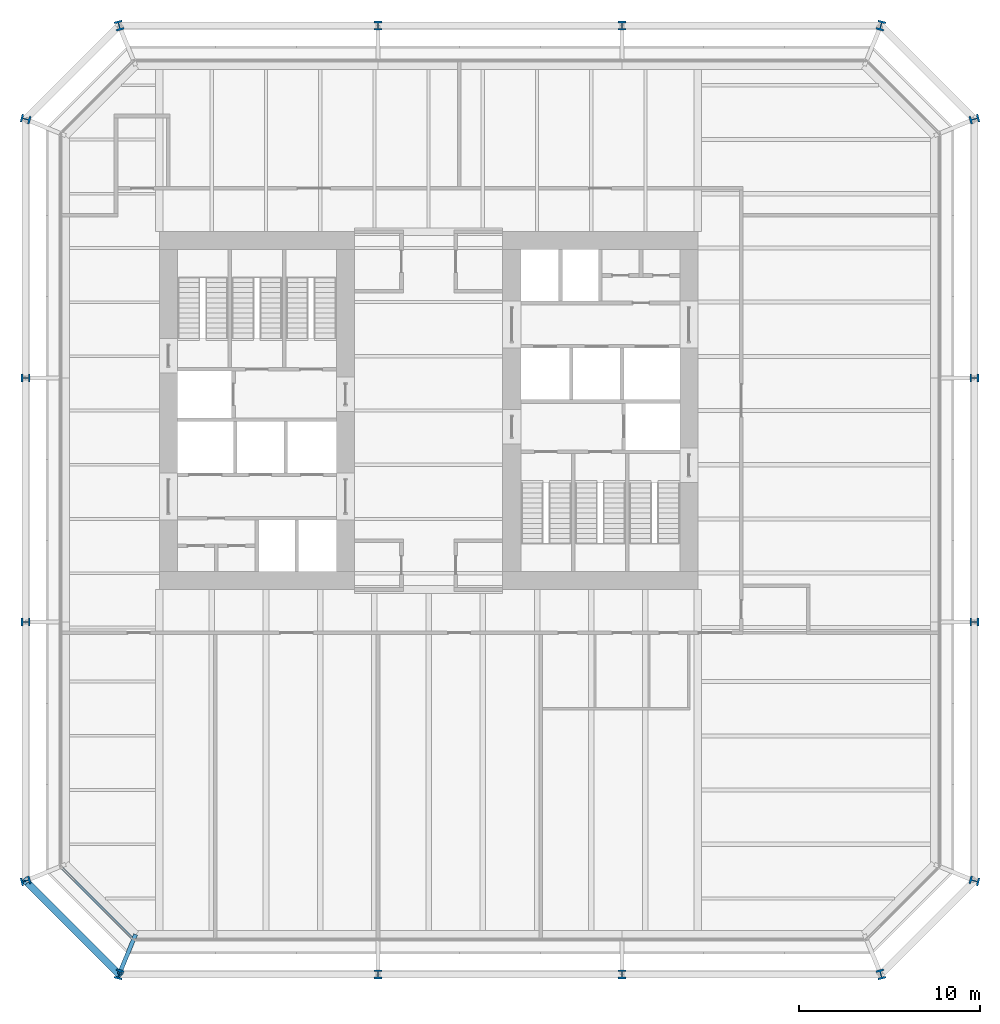
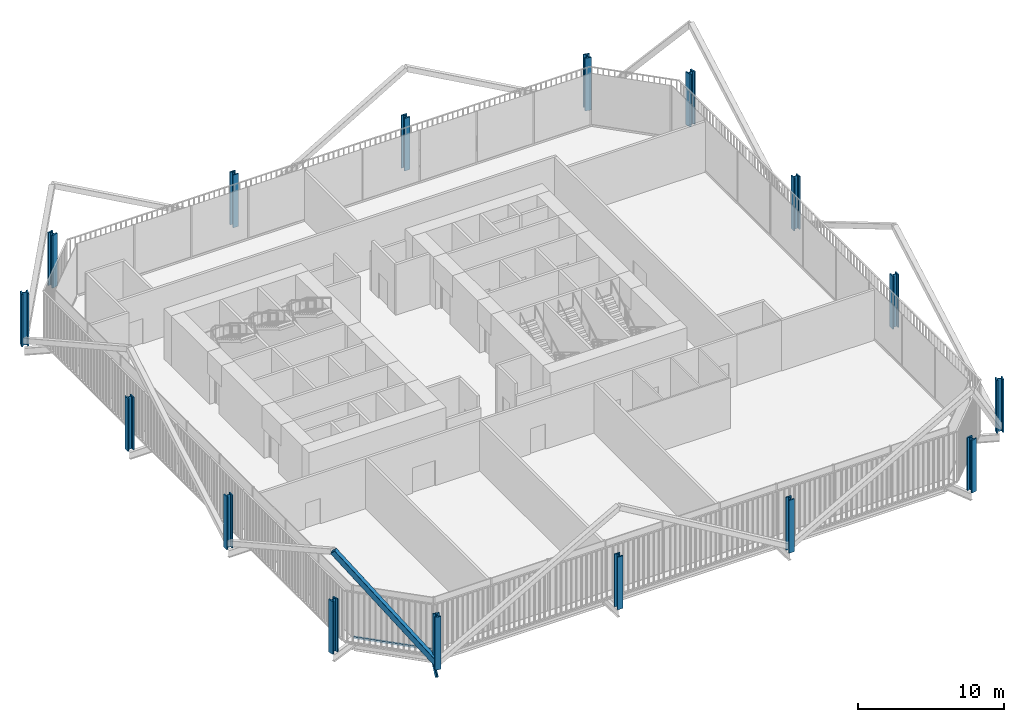
# One storey, part 1 of 21: 16 columns, 2 members, 1 beam, 1 element without a shape of its own.
"""IFC4 building model written with IfcOpenShell, lengths in metres."""

from ifc_helpers import new_model, si_unit, direction, frame, origin, origin_2d, place, context, subcontext, project, spatial, rectangle, hollow_rectangle, i_section, extrude, material, layer, layer_set, material_profile, profile_set, type_object, element, aggregate, save


model = new_model("IFC4")

# Units and contexts
model_context = context("Model", 3, precision=1e-05, world=origin(), true_north=direction((0.0, 1.0)))
body_context = subcontext(model_context, "Body", "Model", "MODEL_VIEW")
ifc_project = project(units=[si_unit("LENGTHUNIT", "METRE"), si_unit("AREAUNIT", "SQUARE_METRE"), si_unit("VOLUMEUNIT", "CUBIC_METRE"), si_unit("PLANEANGLEUNIT", "RADIAN"), si_unit("MASSUNIT", "GRAM", prefix="KILO")], contexts=[model_context])

# Site, building, storey
site_placement = place(None, origin())
site = spatial("IfcSite", under=ifc_project, at=site_placement, CompositionType="ELEMENT")
building_placement = place(site_placement, origin())
building = spatial("IfcBuilding", under=site, at=building_placement, Name="Millrace Tower", CompositionType="ELEMENT")
storey_placement = place(building_placement, frame((0.0, 0.0, 104.0)))
storey = spatial("IfcBuildingStorey", under=building, at=storey_placement, Name="L23", CompositionType="ELEMENT", Elevation=104.0)

# Columns
ifc_material_1 = material(Name="Steel ASTM A913 Grade 65", Category="steel")
ifc_material_profile_1 = material_profile(ifc_material_1, i_section(OverallWidth=0.431884765625, OverallDepth=0.497802734375, WebThickness=0.0556640625, FlangeThickness=0.0888671875, FilletRadius=0.01513671875, at=origin_2d()))
ifc_profile_set_1 = profile_set([ifc_material_profile_1], Name="Steel ASTM A913 Grade 65")
column_type_1 = type_object("IfcColumnType", Name="Exoskeleton column W14x500", PredefinedType="COLUMN", material=ifc_profile_set_1)
for number, where, z_axis, x_axis, name in (
    (1, (-2.800048828125, -31.199951171875, 0.0), (0.0, 0.0, 1.0), (1.0, 0.0, 0.0), "COL-B-L23-X03"),
    (2, (10.699951171875, -31.199951171875, 0.0), (0.0, 0.0, 1.0), (1.0, 0.0, 0.0), "COL-B-L23-X04"),
    (3, (30.199951171875, -11.699951171875, 0.0), (0.0, 0.0, 1.0), (0.0, 1.0, 0.0), "COL-B-L23-X07"),
    (4, (30.199951171875, 1.800048828125, 0.0), (0.0, 0.0, 1.0), (0.0, 1.0, 0.0), "COL-B-L23-X08"),
    (5, (10.699951171875, 21.300048828125, 0.0), (0.0, 0.0, 1.0), (-1.0, 0.0, 0.0), "COL-B-L23-X11"),
    (6, (-2.800048828125, 21.300048828125, 0.0), (0.0, 0.0, 1.0), (-1.0, 0.0, 0.0), "COL-B-L23-X12"),
    (7, (-22.300048828125, 1.800048828125, 0.0), (0.0, 0.0, 1.0), (0.0, -1.0, 0.0), "COL-B-L23-X15"),
    (8, (-22.300048828125, -11.699951171875, 0.0), (0.0, 0.0, 1.0), (0.0, -1.0, 0.0), "COL-B-L23-X16"),
):
    element("IfcColumn", number, at=place(storey_placement, frame(where, z_axis=z_axis, x_axis=x_axis)), inside=storey, type_object=column_type_1, Name=name, PredefinedType="COLUMN", context=body_context, shape_type="SweptSolid", body=[
        extrude(i_section(OverallWidth=0.431884765625, OverallDepth=0.497802734375, WebThickness=0.0556640625, FlangeThickness=0.0888671875, FilletRadius=0.01513671875, at=origin_2d()), origin(), (0.0, 0.0, 1.0), 4.39990234375),
    ])
ifc_material_2 = material(Name="Steel ASTM A913 Grade 65", Category="steel")
ifc_material_profile_2 = material_profile(ifc_material_2, i_section(OverallWidth=0.44189453125, OverallDepth=0.53076171875, WebThickness=0.06591796875, FlangeThickness=0.105712890625, FilletRadius=0.01513671875, at=origin_2d()))
ifc_profile_set_2 = profile_set([ifc_material_profile_2], Name="Steel ASTM A913 Grade 65")
column_type_2 = type_object("IfcColumnType", Name="Exoskeleton column W14x605", PredefinedType="COLUMN", material=ifc_profile_set_2)
for number, where, z_axis, x_axis, name in (
    (9, (-22.300048828125, -26.0283203125, 0.0), (0.0, 0.0, 1.0), (0.256346878353, -0.966584852953, 0.0), "COL-B-L23-X01"),
    (10, (-17.12841796875, -31.199951171875, 0.0), (0.0, 0.0, 1.0), (0.966584852953, -0.256346878353, 0.0), "COL-B-L23-X02"),
    (11, (25.0283203125, -31.199951171875, 0.0), (0.0, 0.0, 1.0), (0.966584852953, 0.256346878353, 0.0), "COL-B-L23-X05"),
    (12, (30.199951171875, -26.0283203125, 0.0), (0.0, 0.0, 1.0), (0.256346878353, 0.966584852953, 0.0), "COL-B-L23-X06"),
    (13, (30.199951171875, 16.12841796875, 0.0), (0.0, 0.0, 1.0), (-0.256346878353, 0.966584852953, 0.0), "COL-B-L23-X09"),
    (14, (25.0283203125, 21.300048828125, 0.0), (0.0, 0.0, 1.0), (-0.966584852953, 0.256346878353, 0.0), "COL-B-L23-X10"),
    (15, (-17.12841796875, 21.300048828125, 0.0), (0.0, 0.0, 1.0), (-0.966584852953, -0.256346878353, 0.0), "COL-B-L23-X13"),
    (16, (-22.300048828125, 16.12841796875, 0.0), (0.0, 0.0, 1.0), (-0.256346878353, -0.966584852953, 0.0), "COL-B-L23-X14"),
):
    element("IfcColumn", number, at=place(storey_placement, frame(where, z_axis=z_axis, x_axis=x_axis)), inside=storey, type_object=column_type_2, Name=name, PredefinedType="COLUMN", context=body_context, shape_type="SweptSolid", body=[
        extrude(i_section(OverallWidth=0.44189453125, OverallDepth=0.53076171875, WebThickness=0.06591796875, FlangeThickness=0.105712890625, FilletRadius=0.01513671875, at=origin_2d()), origin(), (0.0, 0.0, 1.0), 4.39990234375),
    ])

# Curtain wall, member
ifc_material_3 = material(Name="Aluminium and glass", Category="aluminium")
ifc_layer = layer(ifc_material_3, 0.14990234375)
ifc_layer_set = layer_set([ifc_layer], Name="Aluminium and glass")
curtain_wall_type = type_object("IfcCurtainWallType", Name="CW-3 telecom floor curtain wall", PredefinedType="NOTDEFINED", material=ifc_layer_set)
curtain_wall_placement = place(storey_placement, origin())
curtain_wall = element("IfcCurtainWall", 17, at=curtain_wall_placement, inside=storey, type_object=curtain_wall_type, Name="Curtain wall B-F01 L23", PredefinedType="NOTDEFINED")
ifc_material_4 = material(Name="Aluminium", Category="aluminium")
ifc_material_profile_3 = material_profile(ifc_material_4, rectangle(XDim=0.14990234375, YDim=0.14990234375, at=origin_2d()))
ifc_profile_set_3 = profile_set([ifc_material_profile_3], Name="Aluminium")
member_type_1 = type_object("IfcMemberType", Name="CW-3 telecom floor curtain wall transom", PredefinedType="USERDEFINED", material=ifc_profile_set_3)
member_1_placement = place(storey_placement, frame((-20.2822265625, -25.32373046875, 0.074951171875), z_axis=(0.707084410407, -0.707129151258, 0.0), x_axis=(0.707129151258, 0.707084410407, 0.0)))
member_1 = element("IfcMember", 18, at=member_1_placement, type_object=member_type_1, Name="CW3 transom B-F01.1", ObjectType="TRANSOM", PredefinedType="USERDEFINED", context=body_context, shape_type="SweptSolid", body=[
    extrude(rectangle(XDim=0.14990234375, YDim=0.14990234375, at=origin_2d()), origin(), (0.0, 0.0, 1.0), 5.456787109375),
])
aggregate(curtain_wall, [member_1])

# Member
ifc_material_5 = material(Name="Steel ASTM A500 Grade C", Category="steel")
ifc_material_profile_4 = material_profile(ifc_material_5, hollow_rectangle(XDim=0.406494140625, YDim=0.406494140625, WallThickness=0.0126953125, InnerFilletRadius=0.00634765625, OuterFilletRadius=0.01904296875, at=origin_2d()))
ifc_profile_set_4 = profile_set([ifc_material_profile_4], Name="Steel ASTM A500 Grade C")
member_type_2 = type_object("IfcMemberType", Name="Exoskeleton brace HSS16x16x1/2", PredefinedType="BRACE", material=ifc_profile_set_4)
member_2_placement = place(storey_placement, frame((-17.12841796875, -31.199951171875, 0.39990234375), z_axis=(-0.477116280189, 0.477116280189, 0.738051563482), x_axis=(-0.707106781187, -0.707106781187, 0.0)))
element("IfcMember", 19, at=member_2_placement, inside=storey, type_object=member_type_2, Name="BRC-B-L23-01", PredefinedType="BRACE", context=body_context, shape_type="SweptSolid", body=[
    extrude(hollow_rectangle(XDim=0.406494140625, YDim=0.406494140625, WallThickness=0.0126953125, InnerFilletRadius=0.00634765625, OuterFilletRadius=0.01904296875, at=origin_2d()), origin(), (0.0, 0.0, 1.0), 10.83935546875),
])

# Beam
ifc_material_6 = material(Name="Steel ASTM A992 Grade 50", Category="steel")
ifc_material_profile_5 = material_profile(ifc_material_6, i_section(OverallWidth=0.23046875, OverallDepth=0.6171875, WebThickness=0.01318359375, FlangeThickness=0.022216796875, FilletRadius=0.012939453125, at=origin_2d()))
ifc_profile_set_5 = profile_set([ifc_material_profile_5], Name="Steel ASTM A992 Grade 50")
beam_type = type_object("IfcBeamType", Name="Link beam W24x94", PredefinedType="BEAM", material=ifc_profile_set_5)
beam_placement = place(storey_placement, frame((-16.213134765625, -28.990478515625, -0.508544921875), z_axis=(-0.382715433277, -0.92386627665, 0.0), x_axis=(0.92386627665, -0.382715433277, 0.0)))
element("IfcBeam", 20, at=beam_placement, inside=storey, type_object=beam_type, Name="LNK-B-L23-S1-16", PredefinedType="BEAM", context=body_context, shape_type="SweptSolid", body=[
    extrude(i_section(OverallWidth=0.23046875, OverallDepth=0.6171875, WebThickness=0.01318359375, FlangeThickness=0.022216796875, FilletRadius=0.012939453125, at=origin_2d()), origin(), (0.0, 0.0, 1.0), 2.3916015625),
])

save(model, "model.ifc")
